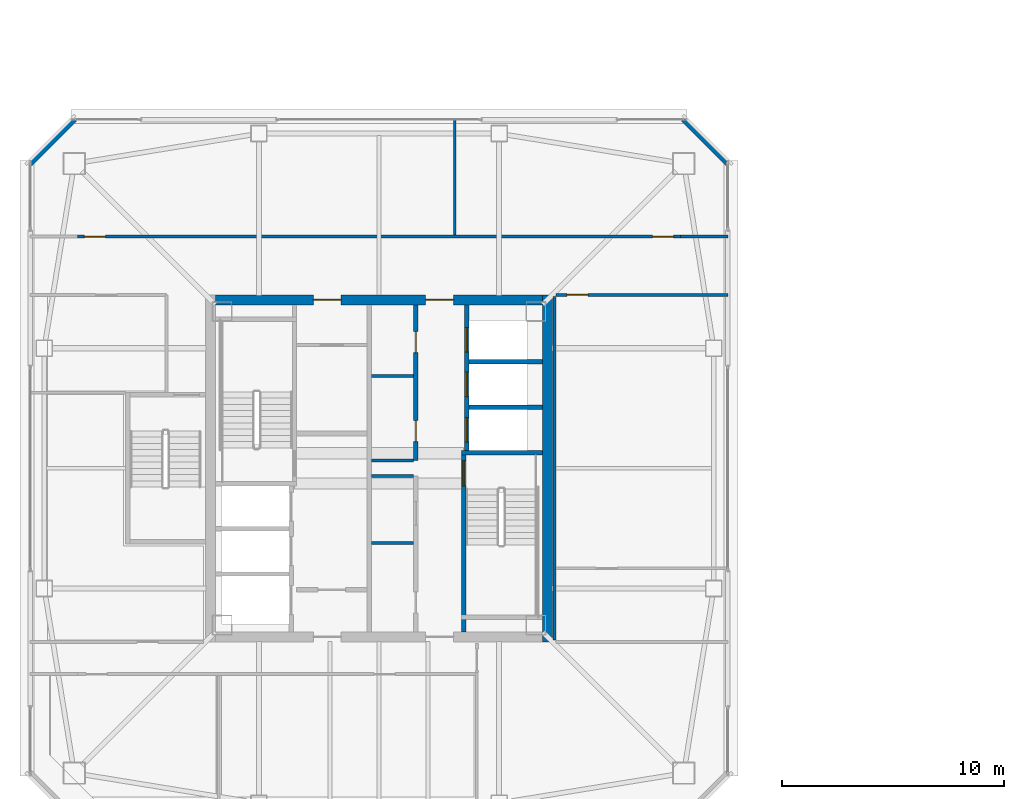
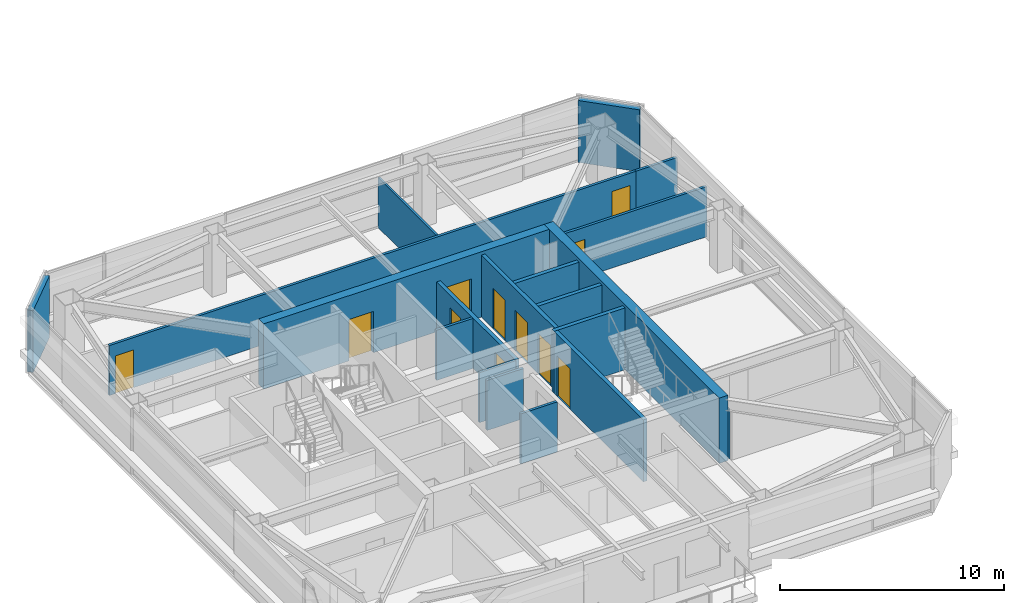
# One storey, part 27 of 36: 19 walls, 11 doors, 11 openings.
"""IFC4 building model written with IfcOpenShell, lengths in metres."""

from ifc_helpers import new_model, si_unit, direction, frame, frame_2d, origin, place, context, subcontext, project, spatial, rectangle, extrude, material, layer, layer_set, type_object, element, fill, save


model = new_model("IFC4")

# Units and contexts
model_context = context("Model", 3, precision=1e-05, world=origin(), true_north=direction((0.0, 1.0)))
body_context = subcontext(model_context, "Body", "Model", "MODEL_VIEW")
ifc_project = project(units=[si_unit("LENGTHUNIT", "METRE"), si_unit("AREAUNIT", "SQUARE_METRE"), si_unit("VOLUMEUNIT", "CUBIC_METRE"), si_unit("PLANEANGLEUNIT", "RADIAN"), si_unit("MASSUNIT", "GRAM", prefix="KILO")], contexts=[model_context])

# Site, building, storey
site_placement = place(None, origin())
site = spatial("IfcSite", under=ifc_project, at=site_placement, CompositionType="ELEMENT")
building_placement = place(site_placement, origin())
building = spatial("IfcBuilding", under=site, at=building_placement, Name="Tashvorn Skyway Center", CompositionType="ELEMENT")
storey_placement = place(building_placement, frame((0.0, 0.0, 236.14990234375)))
storey = spatial("IfcBuildingStorey", under=building, at=storey_placement, Name="L64", CompositionType="ELEMENT", Elevation=236.14990234375)

# Wall
ifc_material_1 = material(Name="Concrete C50/60", Category="concrete")
ifc_layer_1 = layer(ifc_material_1, 0.449951171875)
ifc_layer_set_1 = layer_set([ifc_layer_1], Name="Concrete C50/60")
wall_type_1 = type_object("IfcWallType", Name="WALL-CORE-450", PredefinedType="SHEAR", material=ifc_layer_set_1)
wall_1_placement = place(storey_placement, frame((49.574951171875, 39.800048828125, 0.0), z_axis=(0.0, 0.0, 1.0), x_axis=(0.0, -1.0, 0.0)))
element("IfcWall", 1, at=wall_1_placement, inside=storey, type_object=wall_type_1, Name="Tower 1 L64 East Core Shear Wall", PredefinedType="SHEAR", context=body_context, shape_type="SweptSolid", body=[
    extrude(rectangle(XDim=15.60009765625, YDim=0.449951171875, at=frame_2d((7.800048828125, 0.0))), origin(), (0.0, 0.0, 1.0), 3.550048828125),
])

# Wall, openings, doors
wall_2_placement = place(storey_placement, frame((34.64990234375, 39.574951171875, 0.0), z_axis=(0.0, 0.0, 1.0), x_axis=(1.0, 0.0, 0.0)))
wall_2 = element("IfcWall", 2, at=wall_2_placement, inside=storey, type_object=wall_type_1, Name="Tower 1 L64 North Core Shear Wall", PredefinedType="SHEAR", context=body_context, shape_type="SweptSolid", body=[
    extrude(rectangle(XDim=14.7001953125, YDim=0.449951171875, at=frame_2d((7.35009765625, 0.0))), origin(), (0.0, 0.0, 1.0), 3.550048828125),
])
opening_1_placement = place(wall_2_placement, frame((4.39990234375, 0.0, 0.0)))
opening_1 = element("IfcOpeningElement", 3, at=opening_1_placement, cuts=wall_2, Name="Opening D-FFL-1250", PredefinedType="OPENING", context=body_context, shape_type="SweptSolid", body=[
    extrude(rectangle(XDim=1.25, YDim=2.25, at=frame_2d((0.625, 1.125))), frame((0.0, 0.23486328125, 0.0), z_axis=(0.0, -1.0, 0.0), x_axis=(1.0, 0.0, 0.0)), (0.0, 0.0, 1.0), 0.469970703125),
])
opening_2_placement = place(wall_2_placement, frame((9.449951171875, 0.0, 0.0)))
opening_2 = element("IfcOpeningElement", 4, at=opening_2_placement, cuts=wall_2, Name="Opening D-FFL-1250", PredefinedType="OPENING", context=body_context, shape_type="SweptSolid", body=[
    extrude(rectangle(XDim=1.25, YDim=2.25, at=frame_2d((0.625, 1.125))), frame((0.0, 0.23486328125, 0.0), z_axis=(0.0, -1.0, 0.0), x_axis=(1.0, 0.0, 0.0)), (0.0, 0.0, 1.0), 0.469970703125),
])
ifc_material_2 = material(Name="Hollow galvanized steel fire door assembly", Category="steel")
door_type_1 = type_object("IfcDoorType", Name="DOOR-FFL-1250", OperationType="NOTDEFINED", PredefinedType="DOOR", material=ifc_material_2)
door_1_placement = place(opening_1_placement, origin())
door_1 = element("IfcDoor", 5, at=door_1_placement, inside=storey, type_object=door_type_1, Name="Tower 1 L64 Core North Service Lobby Door", OperationType="SINGLE_SWING_LEFT", OverallHeight=2.25, OverallWidth=1.25, PredefinedType="DOOR", context=body_context, shape_type="SweptSolid", body=[
    extrude(rectangle(XDim=1.25, YDim=2.25, at=frame_2d((0.625, 1.125))), frame((0.0, 0.02490234375, 0.0), z_axis=(0.0, -1.0, 0.0), x_axis=(1.0, 0.0, 0.0)), (0.0, 0.0, 1.0), 0.050048828125),
])
fill(opening_1, door_1)
door_2_placement = place(opening_2_placement, origin())
door_2 = element("IfcDoor", 6, at=door_2_placement, inside=storey, type_object=door_type_1, Name="Tower 1 L64 Core North Lift Lobby Door", OperationType="SINGLE_SWING_RIGHT", OverallHeight=2.25, OverallWidth=1.25, PredefinedType="DOOR", context=body_context, shape_type="SweptSolid", body=[
    extrude(rectangle(XDim=1.25, YDim=2.25, at=frame_2d((0.625, 1.125))), frame((0.0, 0.02490234375, 0.0), z_axis=(0.0, -1.0, 0.0), x_axis=(1.0, 0.0, 0.0)), (0.0, 0.0, 1.0), 0.050048828125),
])
fill(opening_2, door_2)

# Walls
ifc_material_3 = material(Name="Precast concrete C40/50", Category="concrete")
ifc_layer_2 = layer(ifc_material_3, 0.280029296875)
ifc_layer_set_2 = layer_set([ifc_layer_2], Name="Precast concrete C40/50")
wall_type_2 = type_object("IfcWallType", Name="WALL-EXT-280", PredefinedType="SOLIDWALL", material=ifc_layer_set_2)
for number, where, z_axis, x_axis, name in (
    (7, (26.300048828125, 45.699951171875, 0.0), (0.0, 0.0, 1.0), (0.707106781187, 0.707106781187, 0.0), "Tower 1 L64 NW Precast Chamfer Wall"),
    (8, (55.699951171875, 47.699951171875, 0.0), (0.0, 0.0, 1.0), (0.707106781187, -0.707106781187, 0.0), "Tower 1 L64 NE Precast Chamfer Wall"),
):
    element("IfcWall", number, at=place(storey_placement, frame(where, z_axis=z_axis, x_axis=x_axis)), inside=storey, type_object=wall_type_2, Name=name, PredefinedType="SOLIDWALL", context=body_context, shape_type="SweptSolid", body=[
        extrude(rectangle(XDim=2.828369140625, YDim=0.280029296875, at=frame_2d((1.4140625, 0.0))), origin(), (0.0, 0.0, 1.0), 3.3701171875),
    ])
ifc_material_4 = material(Name="Gypsum board on cold-formed steel stud framing", Category="steel")
ifc_layer_3 = layer(ifc_material_4, 0.110107421875)
ifc_layer_set_3 = layer_set([ifc_layer_3], Name="Gypsum board on cold-formed steel stud framing")
wall_type_3 = type_object("IfcWallType", Name="WALL-PART-110", PredefinedType="PARTITIONING", material=ifc_layer_set_3)
wall_3_placement = place(storey_placement, frame((45.39990234375, 42.5, 0.0), z_axis=(0.0, 0.0, 1.0), x_axis=(0.0, 1.0, 0.0)))
element("IfcWall", 9, at=wall_3_placement, inside=storey, type_object=wall_type_3, Name="Tower 1 L64 North Suite Partition 1", PredefinedType="PARTITIONING", context=body_context, shape_type="SweptSolid", body=[
    extrude(rectangle(XDim=5.179931640625, YDim=0.110107421875, at=frame_2d((2.58984375, 0.0))), origin(), (0.0, 0.0, 1.0), 2.72314453125),
])

# Wall, openings, doors
ifc_layer_4 = layer(ifc_material_4, 0.135009765625)
ifc_layer_set_4 = layer_set([ifc_layer_4], Name="Gypsum board on cold-formed steel stud framing")
wall_type_4 = type_object("IfcWallType", Name="WALL-PART-135", PredefinedType="PARTITIONING", material=ifc_layer_set_4)
wall_4_placement = place(storey_placement, frame((28.449951171875, 42.419921875, 0.0), z_axis=(0.0, 0.0, 1.0), x_axis=(1.0, 0.0, 0.0)))
wall_4 = element("IfcWall", 10, at=wall_4_placement, inside=storey, type_object=wall_type_4, Name="Tower 1 L64 North Suite Wall", PredefinedType="PARTITIONING", context=body_context, shape_type="SweptSolid", body=[
    extrude(rectangle(XDim=27.10009765625, YDim=0.135009765625, at=frame_2d((13.550048828125, 0.0))), origin(), (0.0, 0.0, 1.0), 2.72314453125),
])
opening_3_placement = place(wall_4_placement, frame((0.300048828125, 0.0, 0.0)))
opening_3 = element("IfcOpeningElement", 11, at=opening_3_placement, cuts=wall_4, Name="Opening D-INT-950", PredefinedType="OPENING", context=body_context, shape_type="SweptSolid", body=[
    extrude(rectangle(XDim=0.949951171875, YDim=2.050048828125, at=frame_2d((0.47509765625, 1.02490234375))), frame((0.0, 0.077392578125, 0.0), z_axis=(0.0, -1.0, 0.0), x_axis=(1.0, 0.0, 0.0)), (0.0, 0.0, 1.0), 0.155029296875),
])
opening_4_placement = place(wall_4_placement, frame((25.85009765625, 0.0, 0.0)))
opening_4 = element("IfcOpeningElement", 12, at=opening_4_placement, cuts=wall_4, Name="Opening D-INT-950", PredefinedType="OPENING", context=body_context, shape_type="SweptSolid", body=[
    extrude(rectangle(XDim=0.949951171875, YDim=2.050048828125, at=frame_2d((0.47509765625, 1.02490234375))), frame((0.0, 0.077392578125, 0.0), z_axis=(0.0, -1.0, 0.0), x_axis=(1.0, 0.0, 0.0)), (0.0, 0.0, 1.0), 0.155029296875),
])
ifc_material_5 = material(Name="Solid-core architectural oak veneer door")
door_type_2 = type_object("IfcDoorType", Name="DOOR-INT-950", OperationType="NOTDEFINED", PredefinedType="DOOR", material=ifc_material_5)
door_3_placement = place(opening_3_placement, origin())
door_3 = element("IfcDoor", 13, at=door_3_placement, inside=storey, type_object=door_type_2, Name="Tower 1 L64 Wellness Clinic Door", OperationType="SINGLE_SWING_LEFT", OverallHeight=2.050048828125, OverallWidth=0.949951171875, PredefinedType="DOOR", context=body_context, shape_type="SweptSolid", body=[
    extrude(rectangle(XDim=0.949951171875, YDim=2.050048828125, at=frame_2d((0.47509765625, 1.02490234375))), frame((0.0, 0.02490234375, 0.0), z_axis=(0.0, -1.0, 0.0), x_axis=(1.0, 0.0, 0.0)), (0.0, 0.0, 1.0), 0.050048828125),
])
fill(opening_3, door_3)
door_4_placement = place(opening_4_placement, origin())
door_4 = element("IfcDoor", 14, at=door_4_placement, inside=storey, type_object=door_type_2, Name="Tower 1 L64 Wellness Clinic Door", OperationType="SINGLE_SWING_RIGHT", OverallHeight=2.050048828125, OverallWidth=0.949951171875, PredefinedType="DOOR", context=body_context, shape_type="SweptSolid", body=[
    extrude(rectangle(XDim=0.949951171875, YDim=2.050048828125, at=frame_2d((0.47509765625, 1.02490234375))), frame((0.0, 0.02490234375, 0.0), z_axis=(0.0, -1.0, 0.0), x_axis=(1.0, 0.0, 0.0)), (0.0, 0.0, 1.0), 0.050048828125),
])
fill(opening_4, door_4)

# Walls
wall_5_placement = place(storey_placement, frame((55.550048828125, 42.419921875, 0.0), z_axis=(0.0, 0.0, 1.0), x_axis=(1.0, 0.0, 0.0)))
element("IfcWall", 15, at=wall_5_placement, inside=storey, type_object=wall_type_4, Name="Tower 1 L64 North-East Suite South Wall", PredefinedType="PARTITIONING", context=body_context, shape_type="SweptSolid", body=[
    extrude(rectangle(XDim=2.1298828125, YDim=0.135009765625, at=frame_2d((1.06494140625, 0.0))), origin(), (0.0, 0.0, 1.0), 2.72314453125),
])
wall_6_placement = place(storey_placement, frame((49.8798828125, 39.719970703125, 0.0), z_axis=(0.0, 0.0, 1.0), x_axis=(0.0, -1.0, 0.0)))
element("IfcWall", 16, at=wall_6_placement, inside=storey, type_object=wall_type_4, Name="Tower 1 L64 East Inner Suite Wall", PredefinedType="PARTITIONING", context=body_context, shape_type="SweptSolid", body=[
    extrude(rectangle(XDim=15.43994140625, YDim=0.135009765625, at=frame_2d((7.719970703125, 0.0))), origin(), (0.0, 0.0, 1.0), 2.72314453125),
])

# Wall, opening, door
wall_7_placement = place(storey_placement, frame((57.679931640625, 39.800048828125, 0.0), z_axis=(0.0, 0.0, 1.0), x_axis=(-1.0, 0.0, 0.0)))
wall_7 = element("IfcWall", 17, at=wall_7_placement, inside=storey, type_object=wall_type_4, Name="Tower 1 L64 East Suite North Wall", PredefinedType="PARTITIONING", context=body_context, shape_type="SweptSolid", body=[
    extrude(rectangle(XDim=7.719970703125, YDim=0.135009765625, at=frame_2d((3.85986328125, 0.0))), origin(), (0.0, 0.0, 1.0), 2.72314453125),
])
opening_5_placement = place(wall_7_placement, frame((6.280029296875, 0.0, 0.0)))
opening_5 = element("IfcOpeningElement", 18, at=opening_5_placement, cuts=wall_7, Name="Opening D-INT-950", PredefinedType="OPENING", context=body_context, shape_type="SweptSolid", body=[
    extrude(rectangle(XDim=0.949951171875, YDim=2.050048828125, at=frame_2d((0.47509765625, 1.02490234375))), frame((0.0, 0.077392578125, 0.0), z_axis=(0.0, -1.0, 0.0), x_axis=(1.0, 0.0, 0.0)), (0.0, 0.0, 1.0), 0.155029296875),
])
door_5_placement = place(opening_5_placement, origin())
door_5 = element("IfcDoor", 19, at=door_5_placement, inside=storey, type_object=door_type_2, Name="Tower 1 L64 Operations Control Room Door", OperationType="SINGLE_SWING_RIGHT", OverallHeight=2.050048828125, OverallWidth=0.949951171875, PredefinedType="DOOR", context=body_context, shape_type="SweptSolid", body=[
    extrude(rectangle(XDim=0.949951171875, YDim=2.050048828125, at=frame_2d((0.47509765625, 1.02490234375))), frame((0.0, 0.02490234375, 0.0), z_axis=(0.0, -1.0, 0.0), x_axis=(1.0, 0.0, 0.0)), (0.0, 0.0, 1.0), 0.050048828125),
])
fill(opening_5, door_5)

# Walls
ifc_layer_5 = layer(ifc_material_4, 0.135009765625)
ifc_layer_set_5 = layer_set([ifc_layer_5], Name="Gypsum board on cold-formed steel stud framing")
wall_type_5 = type_object("IfcWallType", Name="WALL-RATED-135", PredefinedType="PARTITIONING", material=ifc_layer_set_5)
for number, where, z_axis, x_axis, name in (
    (20, (41.669921875, 31.64990234375, 0.0), (0.0, 0.0, 1.0), (1.0, 0.0, 0.0), "Tower 1 L64 Core Room Partition"),
    (21, (41.669921875, 28.64990234375, 0.0), (0.0, 0.0, 1.0), (1.0, 0.0, 0.0), "Tower 1 L64 Freed Core Partition"),
    (22, (41.669921875, 32.35009765625, 0.0), (0.0, 0.0, 1.0), (1.0, 0.0, 0.0), "Tower 1 L64 Core Room Partition"),
    (23, (41.669921875, 36.14990234375, 0.0), (0.0, 0.0, 1.0), (1.0, 0.0, 0.0), "Tower 1 L64 Freed Mid-Rise Partition"),
):
    element("IfcWall", number, at=place(storey_placement, frame(where, z_axis=z_axis, x_axis=x_axis)), inside=storey, type_object=wall_type_5, Name=name, PredefinedType="PARTITIONING", context=body_context, shape_type="SweptSolid", body=[
        extrude(rectangle(XDim=1.880126953125, YDim=0.135009765625, at=frame_2d((0.93994140625, 0.0))), origin(), (0.0, 0.0, 1.0), 2.72314453125),
    ])
ifc_material_6 = material(Name="Concrete C40/50", Category="concrete")
ifc_layer_6 = layer(ifc_material_6, 0.199951171875)
ifc_layer_set_6 = layer_set([ifc_layer_6], Name="Concrete C40/50")
wall_type_6 = type_object("IfcWallType", Name="WALL-SHAFT-200", PredefinedType="SOLIDWALL", material=ifc_layer_set_6)
for number, where, z_axis, x_axis, name in (
    (24, (46.050048828125, 34.75, 0.0), (0.0, 0.0, 1.0), (1.0, 0.0, 0.0), "Tower 1 L64 High-Rise Shaft Divider"),
    (25, (46.050048828125, 36.800048828125, 0.0), (0.0, 0.0, 1.0), (1.0, 0.0, 0.0), "Tower 1 L64 High-Rise Shaft Divider"),
):
    element("IfcWall", number, at=place(storey_placement, frame(where, z_axis=z_axis, x_axis=x_axis)), inside=storey, type_object=wall_type_6, Name=name, PredefinedType="SOLIDWALL", context=body_context, shape_type="SweptSolid", body=[
        extrude(rectangle(XDim=3.300048828125, YDim=0.199951171875, at=frame_2d((1.64990234375, 0.0))), origin(), (0.0, 0.0, 1.0), 3.3701171875),
    ])

# Wall, openings, doors
wall_8_placement = place(storey_placement, frame((43.64990234375, 32.35009765625, 0.0), z_axis=(0.0, 0.0, 1.0), x_axis=(0.0, 1.0, 0.0)))
wall_8 = element("IfcWall", 26, at=wall_8_placement, inside=storey, type_object=wall_type_6, Name="Tower 1 L64 Mid-Rise Core Wall", PredefinedType="SOLIDWALL", context=body_context, shape_type="SweptSolid", body=[
    extrude(rectangle(XDim=7.0, YDim=0.199951171875, at=frame_2d((3.5, 0.0))), origin(), (0.0, 0.0, 1.0), 2.72314453125),
])
opening_6_placement = place(wall_8_placement, frame((0.85009765625, 0.0, 0.0)))
opening_6 = element("IfcOpeningElement", 27, at=opening_6_placement, cuts=wall_8, Name="Opening D-RT-950", PredefinedType="OPENING", context=body_context, shape_type="SweptSolid", body=[
    extrude(rectangle(XDim=0.949951171875, YDim=2.050048828125, at=frame_2d((0.47509765625, 1.02490234375))), frame((0.0, 0.10986328125, 0.0), z_axis=(0.0, -1.0, 0.0), x_axis=(1.0, 0.0, 0.0)), (0.0, 0.0, 1.0), 0.219970703125),
])
opening_7_placement = place(wall_8_placement, frame((4.85009765625, 0.0, 0.0)))
opening_7 = element("IfcOpeningElement", 28, at=opening_7_placement, cuts=wall_8, Name="Opening D-RT-950", PredefinedType="OPENING", context=body_context, shape_type="SweptSolid", body=[
    extrude(rectangle(XDim=0.949951171875, YDim=2.050048828125, at=frame_2d((0.47509765625, 1.02490234375))), frame((0.0, 0.10986328125, 0.0), z_axis=(0.0, -1.0, 0.0), x_axis=(1.0, 0.0, 0.0)), (0.0, 0.0, 1.0), 0.219970703125),
])
door_type_3 = type_object("IfcDoorType", Name="DOOR-RATED-950", OperationType="NOTDEFINED", PredefinedType="DOOR", material=ifc_material_2)
door_6_placement = place(opening_6_placement, origin())
door_6 = element("IfcDoor", 29, at=door_6_placement, inside=storey, type_object=door_type_3, Name="Tower 1 L64 Core IT Room Door", OperationType="SINGLE_SWING_RIGHT", OverallHeight=2.050048828125, OverallWidth=0.949951171875, PredefinedType="DOOR", context=body_context, shape_type="SweptSolid", body=[
    extrude(rectangle(XDim=0.949951171875, YDim=2.050048828125, at=frame_2d((0.47509765625, 1.02490234375))), frame((0.0, 0.02490234375, 0.0), z_axis=(0.0, -1.0, 0.0), x_axis=(1.0, 0.0, 0.0)), (0.0, 0.0, 1.0), 0.050048828125),
])
fill(opening_6, door_6)
door_7_placement = place(opening_7_placement, origin())
door_7 = element("IfcDoor", 30, at=door_7_placement, inside=storey, type_object=door_type_3, Name="Tower 1 L64 Core Catering Pantry Door", OperationType="SINGLE_SWING_LEFT", OverallHeight=2.050048828125, OverallWidth=0.949951171875, PredefinedType="DOOR", context=body_context, shape_type="SweptSolid", body=[
    extrude(rectangle(XDim=0.949951171875, YDim=2.050048828125, at=frame_2d((0.47509765625, 1.02490234375))), frame((0.0, 0.02490234375, 0.0), z_axis=(0.0, -1.0, 0.0), x_axis=(1.0, 0.0, 0.0)), (0.0, 0.0, 1.0), 0.050048828125),
])
fill(opening_7, door_7)

# Wall, opening, door
ifc_layer_7 = layer(ifc_material_6, 0.199951171875)
ifc_layer_set_7 = layer_set([ifc_layer_7], Name="Concrete C40/50")
wall_type_7 = type_object("IfcWallType", Name="WALL-STSHF-200", PredefinedType="SHEAR", material=ifc_layer_set_7)
wall_9_placement = place(storey_placement, frame((45.800048828125, 32.800048828125, 0.0), z_axis=(0.0, 0.0, 1.0), x_axis=(0.0, -1.0, 0.0)))
wall_9 = element("IfcWall", 31, at=wall_9_placement, inside=storey, type_object=wall_type_7, Name="Tower 1 L64 Stair 2 Enclosure Wall", PredefinedType="SHEAR", context=body_context, shape_type="SweptSolid", body=[
    extrude(rectangle(XDim=8.150146484375, YDim=0.199951171875, at=frame_2d((4.0751953125, 0.0))), origin(), (0.0, 0.0, 1.0), 3.3701171875),
])
opening_8_placement = place(wall_9_placement, frame((0.449951171875, 0.0, 0.0)))
opening_8 = element("IfcOpeningElement", 32, at=opening_8_placement, cuts=wall_9, Name="Opening D-ST-1150", PredefinedType="OPENING", context=body_context, shape_type="SweptSolid", body=[
    extrude(rectangle(XDim=1.14990234375, YDim=2.199951171875, at=frame_2d((0.574951171875, 1.10009765625))), frame((0.0, 0.10986328125, 0.0), z_axis=(0.0, -1.0, 0.0), x_axis=(1.0, 0.0, 0.0)), (0.0, 0.0, 1.0), 0.219970703125),
])
door_type_4 = type_object("IfcDoorType", Name="DOOR-STAIR-1150", OperationType="NOTDEFINED", PredefinedType="DOOR", material=ifc_material_2)
door_8_placement = place(opening_8_placement, origin())
door_8 = element("IfcDoor", 33, at=door_8_placement, inside=storey, type_object=door_type_4, Name="Tower 1 L64 Exit Stair 2 Door", OperationType="SINGLE_SWING_RIGHT", OverallHeight=2.199951171875, OverallWidth=1.14990234375, PredefinedType="DOOR", context=body_context, shape_type="SweptSolid", body=[
    extrude(rectangle(XDim=1.14990234375, YDim=2.199951171875, at=frame_2d((0.574951171875, 1.10009765625))), frame((0.0, 0.02490234375, 0.0), z_axis=(0.0, -1.0, 0.0), x_axis=(1.0, 0.0, 0.0)), (0.0, 0.0, 1.0), 0.050048828125),
])
fill(opening_8, door_8)

# Wall
wall_10_placement = place(storey_placement, frame((45.699951171875, 32.699951171875, 0.0), z_axis=(0.0, 0.0, 1.0), x_axis=(1.0, 0.0, 0.0)))
element("IfcWall", 34, at=wall_10_placement, inside=storey, type_object=wall_type_7, Name="Tower 1 L64 Stair 2 North Wall", PredefinedType="SHEAR", context=body_context, shape_type="SweptSolid", body=[
    extrude(rectangle(XDim=3.650146484375, YDim=0.199951171875, at=frame_2d((1.8251953125, 0.0))), origin(), (0.0, 0.0, 1.0), 3.3701171875),
])

# Wall, openings, doors
wall_11_placement = place(storey_placement, frame((45.949951171875, 39.35009765625, 0.0), z_axis=(0.0, 0.0, 1.0), x_axis=(0.0, -1.0, 0.0)))
wall_11 = element("IfcWall", 35, at=wall_11_placement, inside=storey, type_object=wall_type_7, Name="Tower 1 L64 High-Rise Lift Shaft Front Wall", PredefinedType="SHEAR", context=body_context, shape_type="SweptSolid", body=[
    extrude(rectangle(XDim=6.550048828125, YDim=0.199951171875, at=frame_2d((3.27490234375, 0.0))), origin(), (0.0, 0.0, 1.0), 3.3701171875),
])
opening_9_placement = place(wall_11_placement, frame((5.074951171875, 0.0, 0.0)))
opening_9 = element("IfcOpeningElement", 36, at=opening_9_placement, cuts=wall_11, Name="Opening LD-HR-T1-1-L64", PredefinedType="OPENING", context=body_context, shape_type="SweptSolid", body=[
    extrude(rectangle(XDim=1.10009765625, YDim=2.199951171875, at=frame_2d((0.550048828125, 1.10009765625))), frame((0.0, 0.10986328125, 0.0), z_axis=(0.0, -1.0, 0.0), x_axis=(1.0, 0.0, 0.0)), (0.0, 0.0, 1.0), 0.219970703125),
])
opening_10_placement = place(wall_11_placement, frame((3.02490234375, 0.0, 0.0)))
opening_10 = element("IfcOpeningElement", 37, at=opening_10_placement, cuts=wall_11, Name="Opening LD-HR-T1-2-L64", PredefinedType="OPENING", context=body_context, shape_type="SweptSolid", body=[
    extrude(rectangle(XDim=1.10009765625, YDim=2.199951171875, at=frame_2d((0.550048828125, 1.10009765625))), frame((0.0, 0.10986328125, 0.0), z_axis=(0.0, -1.0, 0.0), x_axis=(1.0, 0.0, 0.0)), (0.0, 0.0, 1.0), 0.219970703125),
])
opening_11_placement = place(wall_11_placement, frame((1.02490234375, 0.0, 0.0)))
opening_11 = element("IfcOpeningElement", 38, at=opening_11_placement, cuts=wall_11, Name="Opening LD-HR-T1-3-L64", PredefinedType="OPENING", context=body_context, shape_type="SweptSolid", body=[
    extrude(rectangle(XDim=1.10009765625, YDim=2.199951171875, at=frame_2d((0.550048828125, 1.10009765625))), frame((0.0, 0.10986328125, 0.0), z_axis=(0.0, -1.0, 0.0), x_axis=(1.0, 0.0, 0.0)), (0.0, 0.0, 1.0), 0.219970703125),
])
ifc_material_7 = material(Name="Stainless steel landing door", Category="steel")
door_type_5 = type_object("IfcDoorType", Name="DOOR-LIFT-1100", OperationType="SLIDING_TO_LEFT", PredefinedType="DOOR", material=ifc_material_7)
door_9_placement = place(opening_9_placement, origin())
door_9 = element("IfcDoor", 39, at=door_9_placement, inside=storey, type_object=door_type_5, Name="Lift HR-T1-1 L64 Landing Door", OperationType="SLIDING_TO_LEFT", OverallHeight=2.199951171875, OverallWidth=1.10009765625, PredefinedType="DOOR", context=body_context, shape_type="SweptSolid", body=[
    extrude(rectangle(XDim=1.10009765625, YDim=2.199951171875, at=frame_2d((0.550048828125, 1.10009765625))), frame((0.0, 0.02490234375, 0.0), z_axis=(0.0, -1.0, 0.0), x_axis=(1.0, 0.0, 0.0)), (0.0, 0.0, 1.0), 0.050048828125),
])
fill(opening_9, door_9)
door_10_placement = place(opening_10_placement, origin())
door_10 = element("IfcDoor", 40, at=door_10_placement, inside=storey, type_object=door_type_5, Name="Lift HR-T1-2 L64 Landing Door", OperationType="SLIDING_TO_LEFT", OverallHeight=2.199951171875, OverallWidth=1.10009765625, PredefinedType="DOOR", context=body_context, shape_type="SweptSolid", body=[
    extrude(rectangle(XDim=1.10009765625, YDim=2.199951171875, at=frame_2d((0.550048828125, 1.10009765625))), frame((0.0, 0.02490234375, 0.0), z_axis=(0.0, -1.0, 0.0), x_axis=(1.0, 0.0, 0.0)), (0.0, 0.0, 1.0), 0.050048828125),
])
fill(opening_10, door_10)
door_11_placement = place(opening_11_placement, origin())
door_11 = element("IfcDoor", 41, at=door_11_placement, inside=storey, type_object=door_type_5, Name="Lift HR-T1-3 L64 Landing Door", OperationType="SLIDING_TO_LEFT", OverallHeight=2.199951171875, OverallWidth=1.10009765625, PredefinedType="DOOR", context=body_context, shape_type="SweptSolid", body=[
    extrude(rectangle(XDim=1.10009765625, YDim=2.199951171875, at=frame_2d((0.550048828125, 1.10009765625))), frame((0.0, 0.02490234375, 0.0), z_axis=(0.0, -1.0, 0.0), x_axis=(1.0, 0.0, 0.0)), (0.0, 0.0, 1.0), 0.050048828125),
])
fill(opening_11, door_11)

save(model, "model.ifc")
